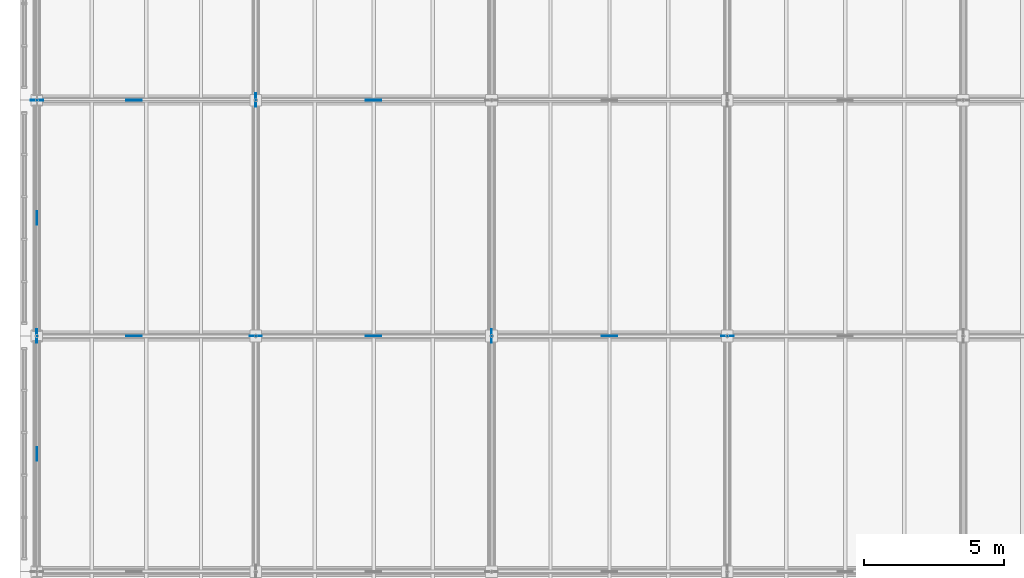
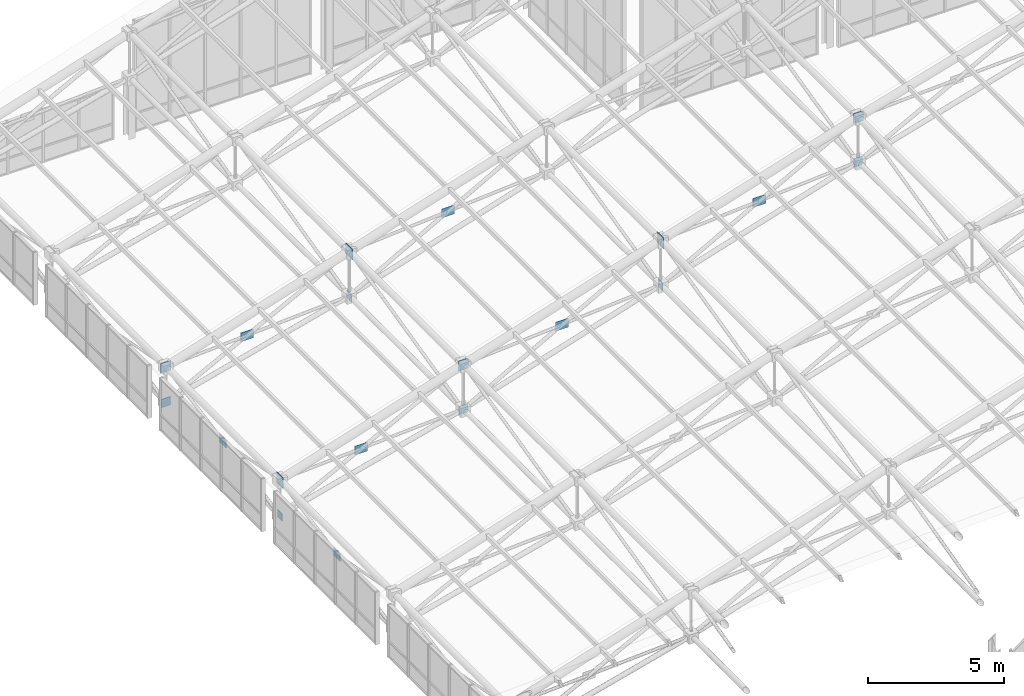
# One storey, part 118 of 144: 19 plates.
"""IFC4 building model written with IfcOpenShell, lengths in metres."""

from ifc_helpers import new_model, si_unit, direction, frame, origin, origin_2d, place, context, subcontext, project, spatial, rectangle, extrude, material, layer, layer_set, type_object, element, save


model = new_model("IFC4")

# Units and contexts
model_context = context("Model", 3, precision=1e-05, world=origin(), true_north=direction((0.0, 1.0)))
body_context = subcontext(model_context, "Body", "Model", "MODEL_VIEW")
ifc_project = project(units=[si_unit("LENGTHUNIT", "METRE"), si_unit("AREAUNIT", "SQUARE_METRE"), si_unit("VOLUMEUNIT", "CUBIC_METRE"), si_unit("PLANEANGLEUNIT", "RADIAN"), si_unit("MASSUNIT", "GRAM", prefix="KILO")], contexts=[model_context])

# Site, building, storey
site_placement = place(None, origin())
site = spatial("IfcSite", under=ifc_project, at=site_placement, CompositionType="ELEMENT")
building_placement = place(site_placement, origin())
building = spatial("IfcBuilding", under=site, at=building_placement, Name="Zayran Congress Hotel", CompositionType="ELEMENT")
storey_placement = place(building_placement, frame((0.0, 0.0, 19.199951171875)))
storey = spatial("IfcBuildingStorey", under=building, at=storey_placement, Name="L04", CompositionType="ELEMENT", Elevation=19.199951171875)

# Plates
ifc_material = material(Name="Steel S355", Category="steel")
ifc_layer_1 = layer(ifc_material, 0.02490234375)
ifc_layer_set_1 = layer_set([ifc_layer_1], Name="Steel S355")
plate_type_1 = type_object("IfcPlateType", Name="TP-SN-CP1", PredefinedType="USERDEFINED", material=ifc_layer_set_1)
for number, where, z_axis, x_axis, name in (
    (1, (9.0, 101.199951171875, 1.971435546875), (0.0, 0.0, 1.0), (1.0, 0.0, 0.0), "Space Frame Node Cap Plate 5"),
    (2, (16.800048828125, 92.800048828125, 4.43212890625), (0.0, 0.0, 1.0), (1.0, 0.0, 0.0), "Space Frame Node Cap Plate 11"),
    (3, (33.60009765625, 92.800048828125, 9.68212890625), (0.0, 0.0, 1.0), (1.0, 0.0, 0.0), "Space Frame Node Cap Plate 25"),
):
    element("IfcPlate", number, at=place(storey_placement, frame(where, z_axis=z_axis, x_axis=x_axis)), inside=storey, type_object=plate_type_1, Name=name, ObjectType="GUSSET_PLATE", PredefinedType="USERDEFINED", context=body_context, shape_type="SweptSolid", body=[
        extrude(rectangle(XDim=0.43994140625, YDim=0.02490234375, at=origin_2d()), origin(), (0.0, 0.0, 1.0), 0.43994140625),
    ])
ifc_layer_2 = layer(ifc_material, 0.02490234375)
ifc_layer_set_2 = layer_set([ifc_layer_2], Name="Steel S355")
plate_type_2 = type_object("IfcPlateType", Name="TP-SN-CP2", PredefinedType="USERDEFINED", material=ifc_layer_set_2)
for number, where, z_axis, x_axis, name in (
    (4, (9.0, 101.199951171875, 0.41015625), (0.0, 0.0, 1.0), (1.0, 0.0, 0.0), "Space Frame Node Cap Plate 82"),
    (5, (16.800048828125, 92.800048828125, 2.460205078125), (0.0, 0.0, 1.0), (1.0, 0.0, 0.0), "Space Frame Node Cap Plate 88"),
    (6, (33.60009765625, 92.800048828125, 7.710205078125), (0.0, 0.0, 1.0), (1.0, 0.0, 0.0), "Space Frame Node Cap Plate 102"),
):
    element("IfcPlate", number, at=place(storey_placement, frame(where, z_axis=z_axis, x_axis=x_axis)), inside=storey, type_object=plate_type_2, Name=name, ObjectType="GUSSET_PLATE", PredefinedType="USERDEFINED", context=body_context, shape_type="SweptSolid", body=[
        extrude(rectangle(XDim=0.3798828125, YDim=0.02490234375, at=origin_2d()), origin(), (0.0, 0.0, 1.0), 0.3798828125),
    ])
ifc_layer_3 = layer(ifc_material, 0.02001953125)
ifc_layer_set_3 = layer_set([ifc_layer_3], Name="Steel S355")
plate_type_3 = type_object("IfcPlateType", Name="TP-SN-CP3", PredefinedType="USERDEFINED", material=ifc_layer_set_3)
for number, where, z_axis, x_axis, name in (
    (7, (9.0, 92.800048828125, 0.43017578125), (0.0, 0.0, 1.0), (0.0, 1.0, 0.0), "Space Frame Node Cap Plate 81"),
    (8, (16.800048828125, 101.199951171875, 2.47998046875), (0.0, 0.0, 1.0), (0.0, 1.0, 0.0), "Space Frame Node Cap Plate 89"),
    (9, (25.199951171875, 92.800048828125, 5.1298828125), (0.0, 0.0, 1.0), (0.0, 1.0, 0.0), "Space Frame Node Cap Plate 95"),
):
    element("IfcPlate", number, at=place(storey_placement, frame(where, z_axis=z_axis, x_axis=x_axis)), inside=storey, type_object=plate_type_3, Name=name, ObjectType="GUSSET_PLATE", PredefinedType="USERDEFINED", context=body_context, shape_type="SweptSolid", body=[
        extrude(rectangle(XDim=0.340087890625, YDim=0.02001953125, at=origin_2d()), origin(), (0.0, 0.0, 1.0), 0.340087890625),
    ])
ifc_layer_4 = layer(ifc_material, 0.028076171875)
ifc_layer_set_4 = layer_set([ifc_layer_4], Name="Steel S355")
plate_type_4 = type_object("IfcPlateType", Name="TP-SN-CP4", PredefinedType="USERDEFINED", material=ifc_layer_set_4)
for number, where, z_axis, x_axis, name in (
    (10, (9.0, 92.800048828125, 1.951416015625), (0.0, 0.0, 1.0), (0.0, 1.0, 0.0), "Space Frame Node Cap Plate 4"),
    (11, (16.800048828125, 101.199951171875, 4.412109375), (0.0, 0.0, 1.0), (0.0, 1.0, 0.0), "Space Frame Node Cap Plate 12"),
    (12, (25.199951171875, 92.800048828125, 7.06201171875), (0.0, 0.0, 1.0), (0.0, 1.0, 0.0), "Space Frame Node Cap Plate 18"),
):
    element("IfcPlate", number, at=place(storey_placement, frame(where, z_axis=z_axis, x_axis=x_axis)), inside=storey, type_object=plate_type_4, Name=name, ObjectType="GUSSET_PLATE", PredefinedType="USERDEFINED", context=body_context, shape_type="SweptSolid", body=[
        extrude(rectangle(XDim=0.47998046875, YDim=0.028076171875, at=origin_2d()), origin(), (0.0, 0.0, 1.0), 0.47998046875),
    ])
ifc_layer_5 = layer(ifc_material, 0.02490234375)
ifc_layer_set_5 = layer_set([ifc_layer_5], Name="Steel S355")
plate_type_5 = type_object("IfcPlateType", Name="TP-GS-01", PredefinedType="USERDEFINED", material=ifc_layer_set_5)
for number, where, z_axis, x_axis, name in (
    (13, (12.4541015625, 92.800048828125, 2.194580078125), (0.0, 0.0, 1.0), (1.0, 0.0, 0.0), "V1 Brace Crossing Gusset Plate 7"),
    (14, (12.4541015625, 101.199951171875, 2.194580078125), (0.0, 0.0, 1.0), (1.0, 0.0, 0.0), "V1 Brace Crossing Gusset Plate 9"),
    (15, (21.0, 92.800048828125, 4.776123046875), (0.0, 0.0, 1.0), (1.0, 0.0, 0.0), "V1 Brace Crossing Gusset Plate 17"),
    (16, (21.0, 101.199951171875, 4.776123046875), (0.0, 0.0, 1.0), (1.0, 0.0, 0.0), "V1 Brace Crossing Gusset Plate 18"),
    (17, (29.39990234375, 92.800048828125, 7.401123046875), (0.0, 0.0, 1.0), (1.0, 0.0, 0.0), "V1 Brace Crossing Gusset Plate 24"),
):
    element("IfcPlate", number, at=place(storey_placement, frame(where, z_axis=z_axis, x_axis=x_axis)), inside=storey, type_object=plate_type_5, Name=name, ObjectType="GUSSET_PLATE", PredefinedType="USERDEFINED", context=body_context, shape_type="SweptSolid", body=[
        extrude(rectangle(XDim=0.550048828125, YDim=0.02490234375, at=origin_2d()), origin(), (0.0, 0.0, 1.0), 0.39990234375),
    ])
ifc_layer_6 = layer(ifc_material, 0.02001953125)
ifc_layer_set_6 = layer_set([ifc_layer_6], Name="Steel S355")
plate_type_6 = type_object("IfcPlateType", Name="TP-GS-02", PredefinedType="USERDEFINED", material=ifc_layer_set_6)
for number, where, z_axis, x_axis, name in (
    (18, (9.0, 88.60009765625, 1.2158203125), (0.0, 0.0, 1.0), (0.0, 1.0, 0.0), "V1 Brace Crossing Gusset Plate 6"),
    (19, (9.0, 97.0, 1.2158203125), (0.0, 0.0, 1.0), (0.0, 1.0, 0.0), "V1 Brace Crossing Gusset Plate 8"),
):
    element("IfcPlate", number, at=place(storey_placement, frame(where, z_axis=z_axis, x_axis=x_axis)), inside=storey, type_object=plate_type_6, Name=name, ObjectType="GUSSET_PLATE", PredefinedType="USERDEFINED", context=body_context, shape_type="SweptSolid", body=[
        extrude(rectangle(XDim=0.47998046875, YDim=0.02001953125, at=origin_2d()), origin(), (0.0, 0.0, 1.0), 0.360107421875),
    ])

save(model, "model.ifc")
